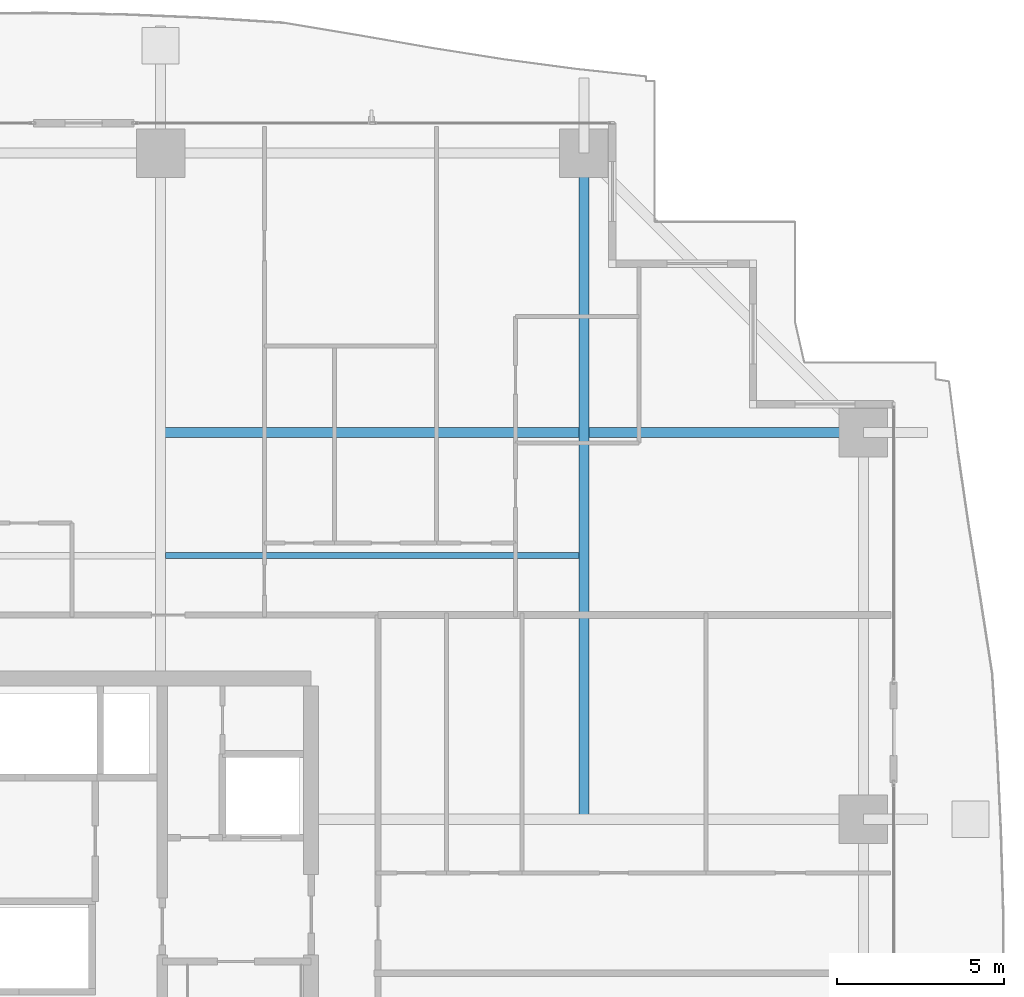
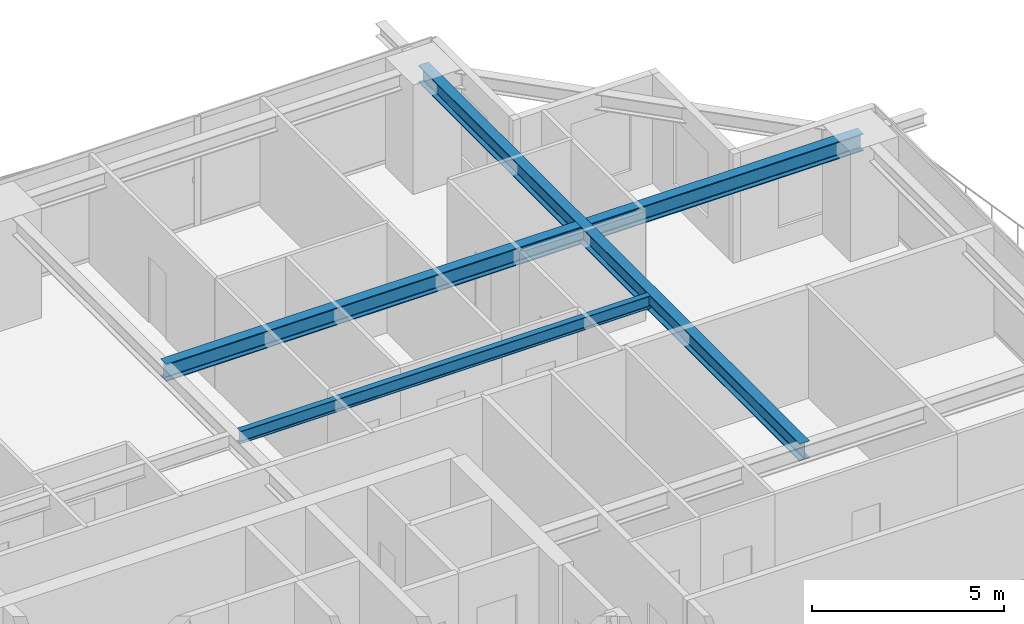
# One storey, part 21 of 38: 3 beams.
"""IFC4 building model written with IfcOpenShell, lengths in metres."""

from ifc_helpers import new_model, si_unit, direction, frame, origin, origin_2d, place, context, subcontext, project, spatial, i_section, extrude, source, transform, mapped, material, material_profile, profile_set, type_object, element, save


model = new_model("IFC4")

# Units and contexts
model_context = context("Model", 3, precision=1e-05, world=origin(), true_north=direction((0.0, 1.0)))
body_context = subcontext(model_context, "Body", "Model", "MODEL_VIEW")
ifc_project = project(units=[si_unit("LENGTHUNIT", "METRE"), si_unit("AREAUNIT", "SQUARE_METRE"), si_unit("VOLUMEUNIT", "CUBIC_METRE"), si_unit("PLANEANGLEUNIT", "RADIAN"), si_unit("MASSUNIT", "GRAM", prefix="KILO")], contexts=[model_context])

# Site, building, storey
site_placement = place(None, origin())
site = spatial("IfcSite", under=ifc_project, at=site_placement, CompositionType="ELEMENT")
building_placement = place(site_placement, origin())
building = spatial("IfcBuilding", under=site, at=building_placement, Name="Serunith Strait Residences", CompositionType="ELEMENT")
storey_placement = place(building_placement, frame((0.0, 0.0, 52.949951171875)))
storey = spatial("IfcBuildingStorey", under=building, at=storey_placement, Name="L12", CompositionType="ELEMENT", Elevation=52.949951171875)

# Beams
ifc_material = material(Name="Steel S355J2", Category="steel")
ifc_material_profile_1 = material_profile(ifc_material, i_section(OverallWidth=0.300048828125, OverallDepth=0.550048828125, WebThickness=0.014892578125, FlangeThickness=0.029052734375, FilletRadius=0.027099609375, at=origin_2d()), Name="HEB 550")
ifc_profile_set_1 = profile_set([ifc_material_profile_1], Name="Steel S355J2")
beam_type_1 = type_object("IfcBeamType", Name="BM-HEB550", PredefinedType="BEAM", material=ifc_profile_set_1)
shared_shape_1 = source(origin(), body_context, "Body", "SweptSolid", [
    extrude(i_section(OverallWidth=0.300048828125, OverallDepth=0.550048828125, WebThickness=0.014892578125, FlangeThickness=0.029052734375, FilletRadius=0.027099609375, at=origin_2d()), origin(), (0.0, 0.0, 1.0), 19.900146484375),
])
beam_1_placement = place(storey_placement, frame((49.550048828125, 29.39990234375, 3.212158203125), z_axis=(0.0, 1.0, 0.0), x_axis=(-1.0, 0.0, 0.0)))
element("IfcBeam", 1, at=beam_1_placement, inside=storey, type_object=beam_type_1, Name="L12 Orthogonal Corner Girder TC-N4", PredefinedType="BEAM", context=body_context, shape_type="MappedRepresentation", body=[
    mapped(shared_shape_1, transform((0.0, 0.0, 0.0), scale=1.0)),
])
shared_shape_2 = source(origin(), body_context, "Body", "SweptSolid", [
    extrude(i_section(OverallWidth=0.300048828125, OverallDepth=0.550048828125, WebThickness=0.014892578125, FlangeThickness=0.029052734375, FilletRadius=0.027099609375, at=origin_2d()), origin(), (0.0, 0.0, 1.0), 21.0),
])
beam_2_placement = place(storey_placement, frame((36.89990234375, 40.949951171875, 3.212158203125), z_axis=(1.0, 0.0, 0.0), x_axis=(0.0, 1.0, 0.0)))
element("IfcBeam", 2, at=beam_2_placement, inside=storey, type_object=beam_type_1, Name="L12 Orthogonal Corner Girder TC-E4", PredefinedType="BEAM", context=body_context, shape_type="MappedRepresentation", body=[
    mapped(shared_shape_2, transform((0.0, 0.0, 0.0), scale=1.0)),
])
ifc_material_profile_2 = material_profile(ifc_material, i_section(OverallWidth=0.179931640625, OverallDepth=0.39990234375, WebThickness=0.008544921875, FlangeThickness=0.013427734375, FilletRadius=0.02099609375, at=origin_2d()), Name="IPE 400")
ifc_profile_set_2 = profile_set([ifc_material_profile_2], Name="Steel S355J2")
beam_type_2 = type_object("IfcBeamType", Name="BM-IPE400", PredefinedType="JOIST", material=ifc_profile_set_2)
shared_shape_3 = source(origin(), body_context, "Body", "SweptSolid", [
    extrude(i_section(OverallWidth=0.179931640625, OverallDepth=0.39990234375, WebThickness=0.008544921875, FlangeThickness=0.013427734375, FilletRadius=0.02099609375, at=origin_2d()), origin(), (0.0, 0.0, 1.0), 12.349853515625),
])
beam_3_placement = place(storey_placement, frame((37.050048828125, 37.27490234375, 3.287109375), z_axis=(1.0, 0.0, 0.0), x_axis=(0.0, 1.0, 0.0)))
element("IfcBeam", 3, at=beam_3_placement, inside=storey, type_object=beam_type_2, Name="L12 Composite Floor Joist 06", PredefinedType="JOIST", context=body_context, shape_type="MappedRepresentation", body=[
    mapped(shared_shape_3, transform((0.0, 0.0, 0.0), scale=1.0)),
])

save(model, "model.ifc")
